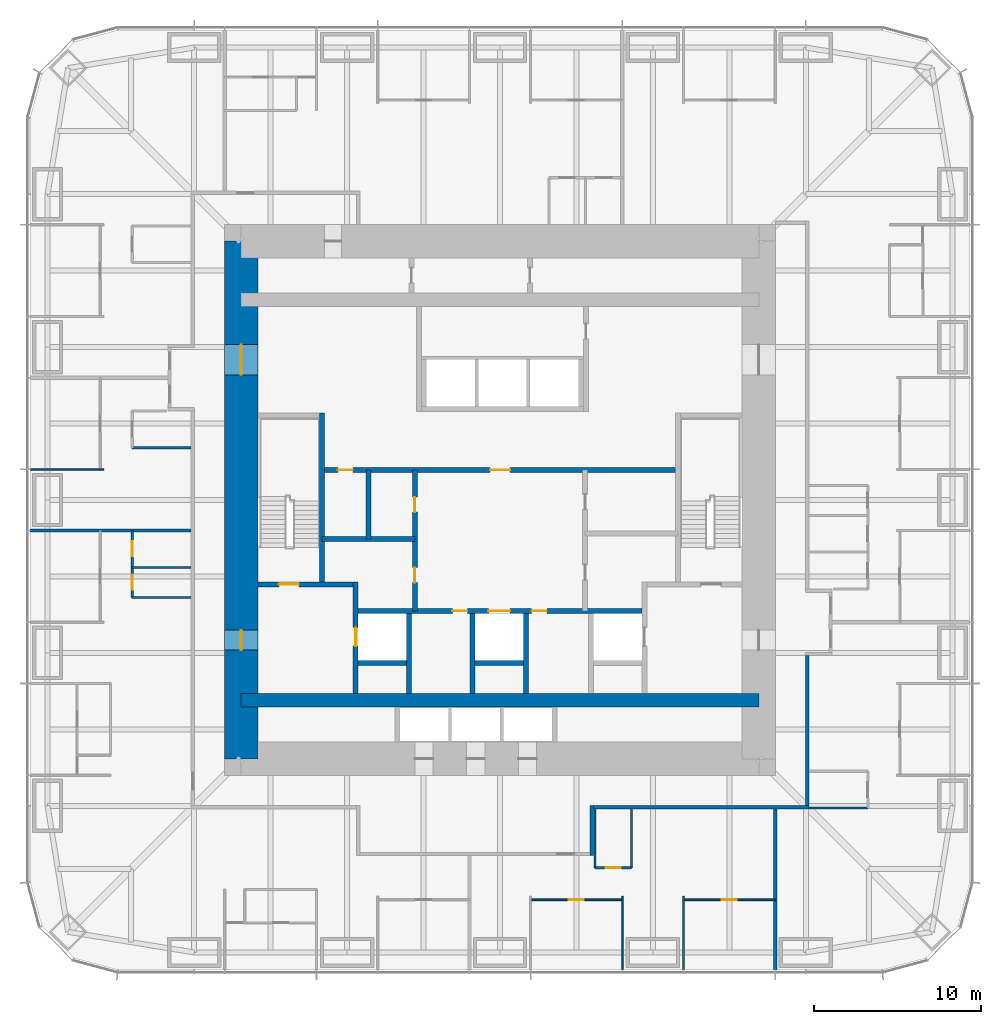
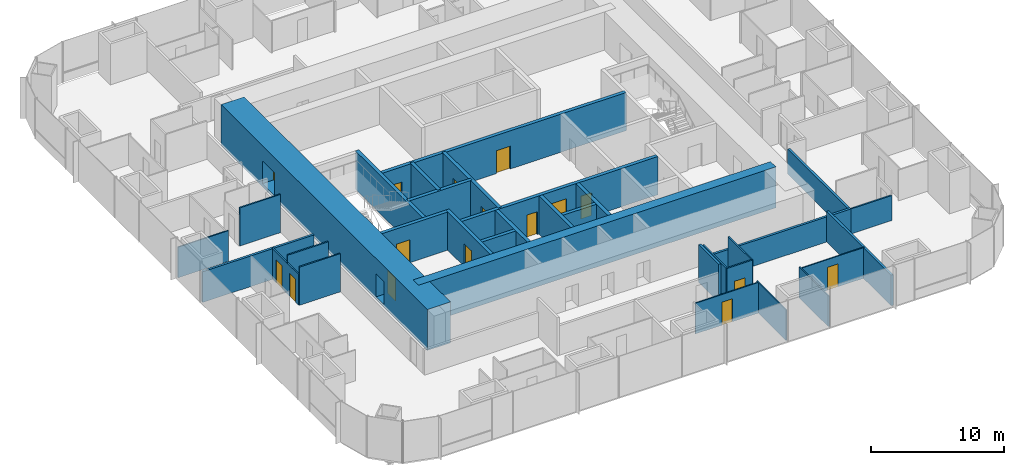
# One storey, part 8 of 12: 33 walls, 16 doors, 16 openings.
"""IFC4 building model written with IfcOpenShell, lengths in metres."""

import ifcopenshell
import ifcopenshell.guid

model = None  # the IFC model being written
_history = None  # IfcOwnerHistory: only IFC2X3 demands one
_inside = {}  # id of a spatial element -> (the spatial element, [elements in it])
_under = {}  # id of a project, library or spatial element -> (it, [spatial elements below it])
_declared = {}  # id of a project -> (the project, [libraries it declares])
_typed = {}  # id of a type object -> (the type object, [elements of that type])
_made_of = {}  # id of a material, layer set ... -> (it, [elements and type objects made of it])


def new_model(schema):
    """Start an empty IFC model of exactly this schema.

    Asked for "IFC4X3", IfcOpenShell would pick the latest addendum, in which some entities
    have other attributes; the version numbers below select the first issue.
    IFC2X3 requires an IfcOwnerHistory on every rooted entity: one is made here for all.
    """
    global model, _history
    if schema == "IFC4X3":
        model = ifcopenshell.file(schema_version=(4, 3, 0, 0))
    else:
        model = ifcopenshell.file(schema=schema)
    _inside.clear()
    _under.clear()
    _declared.clear()
    _typed.clear()
    _made_of.clear()
    _history = None
    if model.schema == "IFC2X3":
        org = make("IfcOrganization", Name="unknown")
        user = make(
            "IfcPersonAndOrganization",
            ThePerson=make("IfcPerson", FamilyName="unknown"),
            TheOrganization=org,
        )
        app = make(
            "IfcApplication",
            ApplicationDeveloper=org,
            Version="unknown",
            ApplicationFullName="unknown",
            ApplicationIdentifier="unknown",
        )
        _history = make(
            "IfcOwnerHistory",
            OwningUser=user,
            OwningApplication=app,
            ChangeAction="ADDED",
            CreationDate=0,
        )
    return model


def make(cls, **values):
    """One entity of the class cls with the attributes given. An attribute that is None is left unset."""
    return model.create_entity(
        cls, **{name: value for name, value in values.items() if value is not None}
    )


def rooted(cls, **values):
    """An entity with a GlobalId (a new one), such as an element, a storey or a relation."""
    return make(cls, GlobalId=ifcopenshell.guid.new(), OwnerHistory=_history, **values)


def si_unit(unit_type, name, prefix=None):
    """IfcSIUnit, for example si_unit("LENGTHUNIT", "METRE", prefix="MILLI")."""
    return make("IfcSIUnit", UnitType=unit_type, Prefix=prefix, Name=name)


def assignment(units):
    """IfcUnitAssignment: the units of a project."""
    return None if units is None else make("IfcUnitAssignment", Units=units)


def point(xyz):
    """IfcCartesianPoint."""
    return None if xyz is None else make("IfcCartesianPoint", Coordinates=xyz)


def direction(xyz):
    """IfcDirection."""
    return None if xyz is None else make("IfcDirection", DirectionRatios=xyz)


def frame(location, z_axis=None, x_axis=None):
    """IfcAxis2Placement3D, a coordinate frame: its origin and axes. An axis left out is left unset."""
    return make(
        "IfcAxis2Placement3D",
        Location=point(location),
        Axis=direction(z_axis),
        RefDirection=direction(x_axis),
    )


def frame_2d(location, x_axis=None):
    """IfcAxis2Placement2D, a coordinate frame in the plane: its origin and x axis."""
    return make(
        "IfcAxis2Placement2D", Location=point(location), RefDirection=direction(x_axis)
    )


def origin():
    """The frame at (0, 0, 0) with its axes left unset."""
    return frame((0.0, 0.0, 0.0))


def place(relative_to, where):
    """IfcLocalPlacement: puts the frame where relative to a parent placement (None: the world)."""
    return make(
        "IfcLocalPlacement", PlacementRelTo=relative_to, RelativePlacement=where
    )


def context(
    kind, dimensions, precision=None, world=None, true_north=None, identifier=None
):
    """IfcGeometricRepresentationContext, for example the 3D "Model" context."""
    return make(
        "IfcGeometricRepresentationContext",
        ContextIdentifier=identifier,
        ContextType=kind,
        CoordinateSpaceDimension=dimensions,
        Precision=precision,
        WorldCoordinateSystem=world,
        TrueNorth=true_north,
    )


def subcontext(parent, identifier, kind, view, scale=None):
    """IfcGeometricRepresentationSubContext, for example "Body" below "Model"."""
    return make(
        "IfcGeometricRepresentationSubContext",
        ContextIdentifier=identifier,
        ContextType=kind,
        ParentContext=parent,
        TargetScale=scale,
        TargetView=view,
    )


def project(units=None, contexts=None):
    """IfcProject with its units and contexts."""
    return rooted(
        "IfcProject",
        Name="project",
        RepresentationContexts=contexts,
        UnitsInContext=assignment(units),
    )


def spatial(cls, under=None, at=None, **own):
    """A site, building, storey or space (cls), placed at a placement, below another one or the project."""
    s = rooted(cls, ObjectPlacement=at, **own)
    if under is not None:
        _under.setdefault(under.id(), (under, []))[1].append(s)
    return s


def profile(cls, at=None, kind="AREA", **sizes):
    """A parametric profile (cls). Its sizes go by their IFC names, for example OverallWidth=200.0."""
    return make(cls, ProfileType=kind, Position=at, **sizes)


def rectangle(**sizes):
    """IfcRectangleProfileDef."""
    return profile("IfcRectangleProfileDef", **sizes)


def extrude(swept, where, along, depth):
    """IfcExtrudedAreaSolid: the profile swept, set in the frame where, extruded along a direction by depth."""
    return make(
        "IfcExtrudedAreaSolid",
        SweptArea=swept,
        Position=where,
        ExtrudedDirection=direction(along),
        Depth=depth,
    )


def shape(context_of_items, identifier, shape_type, items):
    """IfcShapeRepresentation: the items that make up one representation, for example the "Body"."""
    return make(
        "IfcShapeRepresentation",
        ContextOfItems=context_of_items,
        RepresentationIdentifier=identifier,
        RepresentationType=shape_type,
        Items=items,
    )


def material(Name=None, Category=None):
    """IfcMaterial."""
    return make("IfcMaterial", Name=Name, Category=Category)


def layer(
    of_material, thickness, ventilated=None, Name=None, Category=None, Priority=None
):
    """IfcMaterialLayer: one layer of a wall or slab, of a material (None: an air gap)."""
    return make(
        "IfcMaterialLayer",
        Material=of_material,
        LayerThickness=thickness,
        IsVentilated=ventilated,
        Name=Name,
        Category=Category,
        Priority=Priority,
    )


def layer_set(layers, Name=None):
    """IfcMaterialLayerSet."""
    return make("IfcMaterialLayerSet", MaterialLayers=layers, LayerSetName=Name)


def made_of(thing, what):
    """Note that an element or type object is made of a material, layer set ...; save() writes the relation."""
    if what is not None:
        _made_of.setdefault(what.id(), (what, []))[1].append(thing)
    return thing


def type_object(cls, material=None, **own):
    """A type object (cls), such as IfcWallType, which elements share."""
    return made_of(rooted(cls, **own), material)


def element(
    cls,
    number,
    at=None,
    inside=None,
    cuts=None,
    type_object=None,
    material=None,
    context=None,
    identifier="Body",
    shape_type=None,
    held_by="IfcProductDefinitionShape",
    body=None,
    shapes=None,
    **own,
):
    """One element of the class cls, such as IfcWall. Its Tag is "e" and its number.

    at: its placement. inside: the storey or other place that contains it. cuts: it is an
    opening in that element (IfcRelVoidsElement). A single representation is given by context,
    identifier, shape_type and body (its items); several are given by shapes. held_by: the class
    of the entity that holds the representations. save() writes the other relations.
    """
    e = rooted(cls, Tag="e%d" % number, ObjectPlacement=at, **own)
    if body is not None:
        shapes = [shape(context, identifier, shape_type, body)]
    if shapes is not None:
        e.Representation = make(held_by, Representations=shapes)
    if inside is not None:
        _inside.setdefault(inside.id(), (inside, []))[1].append(e)
    if cuts is not None:
        rooted(
            "IfcRelVoidsElement", RelatingBuildingElement=cuts, RelatedOpeningElement=e
        )
    if type_object is not None:
        _typed.setdefault(type_object.id(), (type_object, []))[1].append(e)
    return made_of(e, material)


def fill(opening, filler):
    """IfcRelFillsElement: the door or window that sits in an opening."""
    return rooted(
        "IfcRelFillsElement",
        RelatingOpeningElement=opening,
        RelatedBuildingElement=filler,
    )


def aggregate(whole, parts):
    """IfcRelAggregates: a whole, such as a stair, and the parts it consists of."""
    return rooted("IfcRelAggregates", RelatingObject=whole, RelatedObjects=parts)


def save(model, path):
    """Write the relations noted so far, then the file.

    IfcRelAggregates (storeys below a building ...), IfcRelContainedInSpatialStructure (elements
    in a storey), IfcRelDefinesByType, IfcRelAssociatesMaterial and IfcRelDeclares: one each for
    every whole, place, type object, material and project.
    """
    for whole, parts in _under.values():
        aggregate(whole, parts)
    for where, things in _inside.values():
        rooted(
            "IfcRelContainedInSpatialStructure",
            RelatedElements=things,
            RelatingStructure=where,
        )
    for kind, things in _typed.values():
        rooted("IfcRelDefinesByType", RelatedObjects=things, RelatingType=kind)
    for what, things in _made_of.values():
        rooted("IfcRelAssociatesMaterial", RelatedObjects=things, RelatingMaterial=what)
    for by, libraries in _declared.values():
        rooted("IfcRelDeclares", RelatingContext=by, RelatedDefinitions=libraries)
    model.write(path)


model = new_model("IFC4")

# Units and contexts
model_context = context("Model", 3, precision=1e-05, world=origin(), true_north=direction((0.0, 1.0)))
body_context = subcontext(model_context, "Body", "Model", "MODEL_VIEW")
ifc_project = project(units=[si_unit("LENGTHUNIT", "METRE"), si_unit("AREAUNIT", "SQUARE_METRE"), si_unit("VOLUMEUNIT", "CUBIC_METRE"), si_unit("PLANEANGLEUNIT", "RADIAN"), si_unit("MASSUNIT", "GRAM", prefix="KILO")], contexts=[model_context])

# Site, building, storey
site_placement = place(None, origin())
site = spatial("IfcSite", under=ifc_project, at=site_placement, CompositionType="ELEMENT")
building_placement = place(site_placement, origin())
building = spatial("IfcBuilding", under=site, at=building_placement, Name="Khuree Lantern Residences", CompositionType="ELEMENT")
storey_placement = place(building_placement, frame((0.0, 0.0, 178.5)))
storey = spatial("IfcBuildingStorey", under=building, at=storey_placement, Name="L45", CompositionType="ELEMENT", Elevation=178.5)

# Wall
ifc_material_1 = material(Name="Moisture-resistant gypsum board on steel studs", Category="steel")
ifc_layer_1 = layer(ifc_material_1, 0.125)
ifc_layer_set_1 = layer_set([ifc_layer_1], Name="BATHROOM WALL BTW125")
wall_type_1 = type_object("IfcWallType", Name="BATHROOM WALL BTW125", PredefinedType="PARTITIONING", material=ifc_layer_set_1)
wall_1_placement = place(storey_placement, frame((-18.5, 3.1279296875, 0.0), z_axis=(0.0, 0.0, 1.0), x_axis=(-1.0, 0.0, 0.0)))
element("IfcWall", 1, at=wall_1_placement, inside=storey, type_object=wall_type_1, Name="L45 BATHROOM WALL 04", PredefinedType="PARTITIONING", context=body_context, shape_type="SweptSolid", body=[
    extrude(rectangle(XDim=3.52978515625, YDim=0.125, at=frame_2d((1.764892578125, 0.0))), origin(), (0.0, 0.0, 1.0), 3.5),
])

# Wall, openings, doors
wall_2_placement = place(storey_placement, frame((-22.02978515625, -1.83203125, 0.0), z_axis=(0.0, 0.0, 1.0), x_axis=(0.0, -1.0, 0.0)))
wall_2 = element("IfcWall", 2, at=wall_2_placement, inside=storey, type_object=wall_type_1, Name="L45 BATHROOM WALL 05", PredefinedType="PARTITIONING", context=body_context, shape_type="SweptSolid", body=[
    extrude(rectangle(XDim=4.0, YDim=0.125, at=frame_2d((2.0, 0.0))), origin(), (0.0, 0.0, 1.0), 2.81005859375),
])
opening_1_placement = place(wall_2_placement, frame((0.64990234375, 0.0, 0.0)))
opening_1 = element("IfcOpeningElement", 3, at=opening_1_placement, cuts=wall_2, Name="Opening 45-053", PredefinedType="OPENING", context=body_context, shape_type="SweptSolid", body=[
    extrude(rectangle(XDim=0.89990234375, YDim=2.10009765625, at=frame_2d((0.449951171875, 1.050048828125))), frame((0.0, 0.072509765625, 0.0), z_axis=(0.0, -1.0, 0.0), x_axis=(1.0, 0.0, 0.0)), (0.0, 0.0, 1.0), 0.14501953125),
])
opening_2_placement = place(wall_2_placement, frame((2.64990234375, 0.0, 0.0)))
opening_2 = element("IfcOpeningElement", 4, at=opening_2_placement, cuts=wall_2, Name="Opening 45-054", PredefinedType="OPENING", context=body_context, shape_type="SweptSolid", body=[
    extrude(rectangle(XDim=0.89990234375, YDim=2.10009765625, at=frame_2d((0.449951171875, 1.050048828125))), frame((0.0, 0.072509765625, 0.0), z_axis=(0.0, -1.0, 0.0), x_axis=(1.0, 0.0, 0.0)), (0.0, 0.0, 1.0), 0.14501953125),
])
ifc_material_2 = material(Name="Timber door leaf in hardwood frame", Category="wood")
door_type_1 = type_object("IfcDoorType", Name="BATHROOM DOOR 900X2100", OperationType="SINGLE_SWING_LEFT", PredefinedType="DOOR", material=ifc_material_2)
door_1_placement = place(opening_1_placement, origin())
door_1 = element("IfcDoor", 5, at=door_1_placement, inside=storey, type_object=door_type_1, Name="Bathroom door 45-053", OperationType="SINGLE_SWING_LEFT", OverallHeight=2.10009765625, OverallWidth=0.89990234375, PredefinedType="DOOR", context=body_context, shape_type="SweptSolid", body=[
    extrude(rectangle(XDim=0.89990234375, YDim=2.10009765625, at=frame_2d((0.449951171875, 1.050048828125))), frame((0.0, 0.02490234375, 0.0), z_axis=(0.0, -1.0, 0.0), x_axis=(1.0, 0.0, 0.0)), (0.0, 0.0, 1.0), 0.050048828125),
])
fill(opening_1, door_1)
door_type_2 = type_object("IfcDoorType", Name="DOOR 900X2100", OperationType="SINGLE_SWING_LEFT", PredefinedType="DOOR", material=ifc_material_2)
door_2_placement = place(opening_2_placement, origin())
door_2 = element("IfcDoor", 6, at=door_2_placement, inside=storey, type_object=door_type_2, Name="Store door 45-054", OperationType="SINGLE_SWING_LEFT", OverallHeight=2.10009765625, OverallWidth=0.89990234375, PredefinedType="DOOR", context=body_context, shape_type="SweptSolid", body=[
    extrude(rectangle(XDim=0.89990234375, YDim=2.10009765625, at=frame_2d((0.449951171875, 1.050048828125))), frame((0.0, 0.02490234375, 0.0), z_axis=(0.0, -1.0, 0.0), x_axis=(1.0, 0.0, 0.0)), (0.0, 0.0, 1.0), 0.050048828125),
])
fill(opening_2, door_2)

# Walls
for number, where, z_axis, x_axis, name in (
    (7, (-18.5, -4.031982421875, 0.0), (0.0, 0.0, 1.0), (-1.0, 0.0, 0.0), "L45 BATHROOM WALL 05"),
    (8, (-18.5, -5.83203125, 0.0), (0.0, 0.0, 1.0), (-1.0, 0.0, 0.0), "L45 BATHROOM WALL 05"),
):
    element("IfcWall", number, at=place(storey_placement, frame(where, z_axis=z_axis, x_axis=x_axis)), inside=storey, type_object=wall_type_1, Name=name, PredefinedType="PARTITIONING", context=body_context, shape_type="SweptSolid", body=[
        extrude(rectangle(XDim=3.52978515625, YDim=0.125, at=frame_2d((1.764892578125, 0.0))), origin(), (0.0, 0.0, 1.0), 3.5),
    ])

# Wall, opening, door
wall_3_placement = place(storey_placement, frame((5.68359375, -22.02978515625, 0.0), z_axis=(0.0, 0.0, 1.0), x_axis=(1.0, 0.0, 0.0)))
wall_3 = element("IfcWall", 9, at=wall_3_placement, inside=storey, type_object=wall_type_1, Name="L45 BATHROOM WALL 06", PredefinedType="PARTITIONING", context=body_context, shape_type="SweptSolid", body=[
    extrude(rectangle(XDim=2.199951171875, YDim=0.125, at=frame_2d((1.10009765625, 0.0))), origin(), (0.0, 0.0, 1.0), 3.5),
])
opening_3_placement = place(wall_3_placement, frame((0.64990234375, 0.0, 0.0)))
opening_3 = element("IfcOpeningElement", 10, at=opening_3_placement, cuts=wall_3, Name="Opening 45-058", PredefinedType="OPENING", context=body_context, shape_type="SweptSolid", body=[
    extrude(rectangle(XDim=0.89990234375, YDim=2.10009765625, at=frame_2d((0.449951171875, 1.050048828125))), frame((0.0, 0.072509765625, 0.0), z_axis=(0.0, -1.0, 0.0), x_axis=(1.0, 0.0, 0.0)), (0.0, 0.0, 1.0), 0.14501953125),
])
door_3_placement = place(opening_3_placement, origin())
door_3 = element("IfcDoor", 11, at=door_3_placement, inside=storey, type_object=door_type_1, Name="Bathroom door 45-058", OperationType="SINGLE_SWING_LEFT", OverallHeight=2.10009765625, OverallWidth=0.89990234375, PredefinedType="DOOR", context=body_context, shape_type="SweptSolid", body=[
    extrude(rectangle(XDim=0.89990234375, YDim=2.10009765625, at=frame_2d((0.449951171875, 1.050048828125))), frame((0.0, 0.02490234375, 0.0), z_axis=(0.0, -1.0, 0.0), x_axis=(1.0, 0.0, 0.0)), (0.0, 0.0, 1.0), 0.050048828125),
])
fill(opening_3, door_3)

# Walls
for number, where, z_axis, x_axis, name in (
    (12, (5.68359375, -18.5, 0.0), (0.0, 0.0, 1.0), (0.0, -1.0, 0.0), "L45 BATHROOM WALL 06"),
    (13, (7.883544921875, -18.5, 0.0), (0.0, 0.0, 1.0), (0.0, -1.0, 0.0), "L45 BATHROOM WALL 06"),
):
    element("IfcWall", number, at=place(storey_placement, frame(where, z_axis=z_axis, x_axis=x_axis)), inside=storey, type_object=wall_type_1, Name=name, PredefinedType="PARTITIONING", context=body_context, shape_type="SweptSolid", body=[
        extrude(rectangle(XDim=3.52978515625, YDim=0.125, at=frame_2d((1.764892578125, 0.0))), origin(), (0.0, 0.0, 1.0), 3.5),
    ])
wall_4_placement = place(storey_placement, frame((18.5, -18.449951171875, 0.0), z_axis=(0.0, 0.0, 1.0), x_axis=(1.0, 0.0, 0.0)))
element("IfcWall", 14, at=wall_4_placement, inside=storey, type_object=wall_type_1, Name="L45 BATHROOM WALL 07", PredefinedType="PARTITIONING", context=body_context, shape_type="SweptSolid", body=[
    extrude(rectangle(XDim=3.52978515625, YDim=0.125, at=frame_2d((1.764892578125, 0.0))), origin(), (0.0, 0.0, 1.0), 2.300048828125),
])

# Wall, opening, door
ifc_material_3 = material(Name="Dense concrete blockwork", Category="masonry")
ifc_layer_2 = layer(ifc_material_3, 0.300048828125)
ifc_layer_set_2 = layer_set([ifc_layer_2], Name="CORE PARTITION WALL CPW300 EI 120")
wall_type_2 = type_object("IfcWallType", Name="CORE PARTITION WALL CPW300 EI 120", PredefinedType="PARTITIONING", material=ifc_layer_set_2)
wall_5_placement = place(storey_placement, frame((-8.64990234375, -11.60009765625, 0.0), z_axis=(0.0, 0.0, 1.0), x_axis=(0.0, 1.0, 0.0)))
wall_5 = element("IfcWall", 15, at=wall_5_placement, inside=storey, type_object=wall_type_2, Name="L45 CORE WALL FL1W", PredefinedType="PARTITIONING", context=body_context, shape_type="SweptSolid", body=[
    extrude(rectangle(XDim=6.7001953125, YDim=0.300048828125, at=frame_2d((3.35009765625, 0.0))), origin(), (0.0, 0.0, 1.0), 3.5),
])
opening_4_placement = place(wall_5_placement, frame((2.85009765625, 0.0, 0.0)))
opening_4 = element("IfcOpeningElement", 16, at=opening_4_placement, cuts=wall_5, Name="Opening 45-007", PredefinedType="OPENING", context=body_context, shape_type="SweptSolid", body=[
    extrude(rectangle(XDim=1.10009765625, YDim=2.10009765625, at=frame_2d((0.550048828125, 1.050048828125))), frame((0.0, 0.16015625, 0.0), z_axis=(0.0, -1.0, 0.0), x_axis=(1.0, 0.0, 0.0)), (0.0, 0.0, 1.0), 0.320068359375),
])
ifc_material_4 = material(Name="Stainless steel lift landing door", Category="steel")
door_type_3 = type_object("IfcDoorType", Name="LIFT LANDING DOOR 1100X2100 E 120", OperationType="DOUBLE_DOOR_SLIDING", PredefinedType="DOOR", material=ifc_material_4)
door_4_placement = place(opening_4_placement, origin())
door_4 = element("IfcDoor", 17, at=door_4_placement, inside=storey, type_object=door_type_3, Name="Landing door FL1 45-007", OperationType="DOUBLE_DOOR_SLIDING", OverallHeight=2.10009765625, OverallWidth=1.10009765625, PredefinedType="DOOR", context=body_context, shape_type="SweptSolid", body=[
    extrude(rectangle(XDim=1.10009765625, YDim=2.10009765625, at=frame_2d((0.550048828125, 1.050048828125))), frame((0.0, 0.02490234375, 0.0), z_axis=(0.0, -1.0, 0.0), x_axis=(1.0, 0.0, 0.0)), (0.0, 0.0, 1.0), 0.050048828125),
])
fill(opening_4, door_4)

# Wall, openings, doors
wall_6_placement = place(storey_placement, frame((-8.5, -6.64990234375, 0.0), z_axis=(0.0, 0.0, 1.0), x_axis=(1.0, 0.0, 0.0)))
wall_6 = element("IfcWall", 18, at=wall_6_placement, inside=storey, type_object=wall_type_2, Name="L45 CORE WALL FLROW", PredefinedType="PARTITIONING", context=body_context, shape_type="SweptSolid", body=[
    extrude(rectangle(XDim=17.0, YDim=0.300048828125, at=frame_2d((8.5, 0.0))), origin(), (0.0, 0.0, 1.0), 3.5),
])
opening_5_placement = place(wall_6_placement, frame((7.800048828125, 0.0, 0.0)))
opening_5 = element("IfcOpeningElement", 19, at=opening_5_placement, cuts=wall_6, Name="Opening 45-012", PredefinedType="OPENING", context=body_context, shape_type="SweptSolid", body=[
    extrude(rectangle(XDim=1.300048828125, YDim=2.39990234375, at=frame_2d((0.64990234375, 1.199951171875))), frame((0.0, 0.16015625, 0.0), z_axis=(0.0, -1.0, 0.0), x_axis=(1.0, 0.0, 0.0)), (0.0, 0.0, 1.0), 0.320068359375),
])
opening_6_placement = place(wall_6_placement, frame((5.64990234375, 0.0, 0.0)))
opening_6 = element("IfcOpeningElement", 20, at=opening_6_placement, cuts=wall_6, Name="Opening 45-014", PredefinedType="OPENING", context=body_context, shape_type="SweptSolid", body=[
    extrude(rectangle(XDim=0.89990234375, YDim=2.10009765625, at=frame_2d((0.449951171875, 1.050048828125))), frame((0.0, 0.16015625, 0.0), z_axis=(0.0, -1.0, 0.0), x_axis=(1.0, 0.0, 0.0)), (0.0, 0.0, 1.0), 0.320068359375),
])
opening_7_placement = place(wall_6_placement, frame((10.39990234375, 0.0, 0.0)))
opening_7 = element("IfcOpeningElement", 21, at=opening_7_placement, cuts=wall_6, Name="Opening 45-015", PredefinedType="OPENING", context=body_context, shape_type="SweptSolid", body=[
    extrude(rectangle(XDim=0.89990234375, YDim=2.10009765625, at=frame_2d((0.449951171875, 1.050048828125))), frame((0.0, 0.16015625, 0.0), z_axis=(0.0, -1.0, 0.0), x_axis=(1.0, 0.0, 0.0)), (0.0, 0.0, 1.0), 0.320068359375),
])
ifc_material_5 = material(Name="Steel door leaf in steel frame", Category="steel")
door_type_4 = type_object("IfcDoorType", Name="DOOR 900X2100 EI 60", OperationType="SINGLE_SWING_LEFT", PredefinedType="DOOR", material=ifc_material_5)
door_5_placement = place(opening_6_placement, origin())
door_5 = element("IfcDoor", 22, at=door_5_placement, inside=storey, type_object=door_type_4, Name="Refuse chute room door 45-014", OperationType="SINGLE_SWING_LEFT", OverallHeight=2.10009765625, OverallWidth=0.89990234375, PredefinedType="DOOR", context=body_context, shape_type="SweptSolid", body=[
    extrude(rectangle(XDim=0.89990234375, YDim=2.10009765625, at=frame_2d((0.449951171875, 1.050048828125))), frame((0.0, 0.02490234375, 0.0), z_axis=(0.0, -1.0, 0.0), x_axis=(1.0, 0.0, 0.0)), (0.0, 0.0, 1.0), 0.050048828125),
])
fill(opening_6, door_5)
door_type_5 = type_object("IfcDoorType", Name="DOOR 900X2100 EI 60 RIGHT HAND", OperationType="SINGLE_SWING_RIGHT", PredefinedType="DOOR", material=ifc_material_5)
door_6_placement = place(opening_7_placement, origin())
door_6 = element("IfcDoor", 23, at=door_6_placement, inside=storey, type_object=door_type_5, Name="Electrical and plumbing riser door 45-015", OperationType="SINGLE_SWING_RIGHT", OverallHeight=2.10009765625, OverallWidth=0.89990234375, PredefinedType="DOOR", context=body_context, shape_type="SweptSolid", body=[
    extrude(rectangle(XDim=0.89990234375, YDim=2.10009765625, at=frame_2d((0.449951171875, 1.050048828125))), frame((0.0, 0.02490234375, 0.0), z_axis=(0.0, -1.0, 0.0), x_axis=(1.0, 0.0, 0.0)), (0.0, 0.0, 1.0), 0.050048828125),
])
fill(opening_7, door_6)
door_type_6 = type_object("IfcDoorType", Name="LIFT LANDING DOOR 1300X2400 E 60", OperationType="DOUBLE_DOOR_SLIDING", PredefinedType="DOOR", material=ifc_material_4)
door_7_placement = place(opening_5_placement, origin())
door_7 = element("IfcDoor", 24, at=door_7_placement, inside=storey, type_object=door_type_6, Name="Landing door SL1 45-012", OperationType="DOUBLE_DOOR_SLIDING", OverallHeight=2.39990234375, OverallWidth=1.300048828125, PredefinedType="DOOR", context=body_context, shape_type="SweptSolid", body=[
    extrude(rectangle(XDim=1.300048828125, YDim=2.39990234375, at=frame_2d((0.64990234375, 1.199951171875))), frame((0.0, 0.02490234375, 0.0), z_axis=(0.0, -1.0, 0.0), x_axis=(1.0, 0.0, 0.0)), (0.0, 0.0, 1.0), 0.050048828125),
])
fill(opening_5, door_7)

# Walls
for number, where, z_axis, x_axis, name in (
    (25, (-5.449951171875, -11.60009765625, 0.0), (0.0, 0.0, 1.0), (0.0, 1.0, 0.0), "L45 CORE WALL FL1E"),
    (26, (-1.64990234375, -11.60009765625, 0.0), (0.0, 0.0, 1.0), (0.0, 1.0, 0.0), "L45 CORE WALL SL1W"),
    (27, (1.550048828125, -11.60009765625, 0.0), (0.0, 0.0, 1.0), (0.0, 1.0, 0.0), "L45 CORE WALL SL1E"),
):
    element("IfcWall", number, at=place(storey_placement, frame(where, z_axis=z_axis, x_axis=x_axis)), inside=storey, type_object=wall_type_2, Name=name, PredefinedType="PARTITIONING", context=body_context, shape_type="SweptSolid", body=[
        extrude(rectangle(XDim=4.800048828125, YDim=0.300048828125, at=frame_2d((2.39990234375, 0.0))), origin(), (0.0, 0.0, 1.0), 3.5),
    ])
for number, where, z_axis, x_axis, name in (
    (28, (-8.5, -9.75, 0.0), (0.0, 0.0, 1.0), (1.0, 0.0, 0.0), "L45 CORE WALL FL1S"),
    (29, (-1.5, -9.75, 0.0), (0.0, 0.0, 1.0), (1.0, 0.0, 0.0), "L45 CORE WALL SL1S"),
):
    element("IfcWall", number, at=place(storey_placement, frame(where, z_axis=z_axis, x_axis=x_axis)), inside=storey, type_object=wall_type_2, Name=name, PredefinedType="PARTITIONING", context=body_context, shape_type="SweptSolid", body=[
        extrude(rectangle(XDim=2.89990234375, YDim=0.300048828125, at=frame_2d((1.449951171875, 0.0))), origin(), (0.0, 0.0, 1.0), 3.5),
    ])

# Wall, openings, doors
wall_7_placement = place(storey_placement, frame((-10.64990234375, 1.800048828125, 0.0), z_axis=(0.0, 0.0, 1.0), x_axis=(1.0, 0.0, 0.0)))
wall_7 = element("IfcWall", 30, at=wall_7_placement, inside=storey, type_object=wall_type_2, Name="L45 CORE WALL LLS", PredefinedType="PARTITIONING", context=body_context, shape_type="SweptSolid", body=[
    extrude(rectangle(XDim=21.2998046875, YDim=0.300048828125, at=frame_2d((10.64990234375, 0.0))), origin(), (0.0, 0.0, 1.0), 3.5),
])
opening_8_placement = place(wall_7_placement, frame((10.050048828125, 0.0, 0.0)))
opening_8 = element("IfcOpeningElement", 31, at=opening_8_placement, cuts=wall_7, Name="Opening 45-013", PredefinedType="OPENING", context=body_context, shape_type="SweptSolid", body=[
    extrude(rectangle(XDim=1.199951171875, YDim=2.10009765625, at=frame_2d((0.60009765625, 1.050048828125))), frame((0.0, 0.16015625, 0.0), z_axis=(0.0, -1.0, 0.0), x_axis=(1.0, 0.0, 0.0)), (0.0, 0.0, 1.0), 0.320068359375),
])
opening_9_placement = place(wall_7_placement, frame((0.93798828125, 0.0, 0.0)))
opening_9 = element("IfcOpeningElement", 32, at=opening_9_placement, cuts=wall_7, Name="Opening 45-018", PredefinedType="OPENING", context=body_context, shape_type="SweptSolid", body=[
    extrude(rectangle(XDim=0.89990234375, YDim=2.10009765625, at=frame_2d((0.449951171875, 1.050048828125))), frame((0.0, 0.16015625, 0.0), z_axis=(0.0, -1.0, 0.0), x_axis=(1.0, 0.0, 0.0)), (0.0, 0.0, 1.0), 0.320068359375),
])
door_type_7 = type_object("IfcDoorType", Name="DOOR 1200X2100 EI 60", OperationType="SINGLE_SWING_LEFT", PredefinedType="DOOR", material=ifc_material_5)
door_8_placement = place(opening_8_placement, origin())
door_8 = element("IfcDoor", 33, at=door_8_placement, inside=storey, type_object=door_type_7, Name="Service lift lobby door 45-013", OperationType="SINGLE_SWING_LEFT", OverallHeight=2.10009765625, OverallWidth=1.199951171875, PredefinedType="DOOR", context=body_context, shape_type="SweptSolid", body=[
    extrude(rectangle(XDim=1.199951171875, YDim=2.10009765625, at=frame_2d((0.60009765625, 1.050048828125))), frame((0.0, 0.02490234375, 0.0), z_axis=(0.0, -1.0, 0.0), x_axis=(1.0, 0.0, 0.0)), (0.0, 0.0, 1.0), 0.050048828125),
])
fill(opening_8, door_8)
door_9_placement = place(opening_9_placement, origin())
door_9 = element("IfcDoor", 34, at=door_9_placement, inside=storey, type_object=door_type_2, Name="Housekeeping store door 45-018", OperationType="SINGLE_SWING_LEFT", OverallHeight=2.10009765625, OverallWidth=0.89990234375, PredefinedType="DOOR", context=body_context, shape_type="SweptSolid", body=[
    extrude(rectangle(XDim=0.89990234375, YDim=2.10009765625, at=frame_2d((0.449951171875, 1.050048828125))), frame((0.0, 0.02490234375, 0.0), z_axis=(0.0, -1.0, 0.0), x_axis=(1.0, 0.0, 0.0)), (0.0, 0.0, 1.0), 0.050048828125),
])
fill(opening_9, door_9)

wall_8_placement = place(storey_placement, frame((-5.10009765625, -6.64990234375, 0.0), z_axis=(0.0, 0.0, 1.0), x_axis=(0.0, 1.0, 0.0)))
wall_8 = element("IfcWall", 35, at=wall_8_placement, inside=storey, type_object=wall_type_2, Name="L45 CORE WALL SVW", PredefinedType="PARTITIONING", context=body_context, shape_type="SweptSolid", body=[
    extrude(rectangle(XDim=8.449951171875, YDim=0.300048828125, at=frame_2d((4.22509765625, 0.0))), origin(), (0.0, 0.0, 1.0), 3.5),
])
opening_10_placement = place(wall_8_placement, frame((1.699951171875, 0.0, 0.0)))
opening_10 = element("IfcOpeningElement", 36, at=opening_10_placement, cuts=wall_8, Name="Opening 45-016", PredefinedType="OPENING", context=body_context, shape_type="SweptSolid", body=[
    extrude(rectangle(XDim=0.89990234375, YDim=2.10009765625, at=frame_2d((0.449951171875, 1.050048828125))), frame((0.0, 0.16015625, 0.0), z_axis=(0.0, -1.0, 0.0), x_axis=(1.0, 0.0, 0.0)), (0.0, 0.0, 1.0), 0.320068359375),
])
opening_11_placement = place(wall_8_placement, frame((5.925048828125, 0.0, 0.0)))
opening_11 = element("IfcOpeningElement", 37, at=opening_11_placement, cuts=wall_8, Name="Opening 45-017", PredefinedType="OPENING", context=body_context, shape_type="SweptSolid", body=[
    extrude(rectangle(XDim=0.89990234375, YDim=2.10009765625, at=frame_2d((0.449951171875, 1.050048828125))), frame((0.0, 0.16015625, 0.0), z_axis=(0.0, -1.0, 0.0), x_axis=(1.0, 0.0, 0.0)), (0.0, 0.0, 1.0), 0.320068359375),
])
door_10_placement = place(opening_10_placement, origin())
door_10 = element("IfcDoor", 38, at=door_10_placement, inside=storey, type_object=door_type_2, Name="Bulky waste store door 45-016", OperationType="SINGLE_SWING_LEFT", OverallHeight=2.10009765625, OverallWidth=0.89990234375, PredefinedType="DOOR", context=body_context, shape_type="SweptSolid", body=[
    extrude(rectangle(XDim=0.89990234375, YDim=2.10009765625, at=frame_2d((0.449951171875, 1.050048828125))), frame((0.0, 0.02490234375, 0.0), z_axis=(0.0, -1.0, 0.0), x_axis=(1.0, 0.0, 0.0)), (0.0, 0.0, 1.0), 0.050048828125),
])
fill(opening_10, door_10)
door_11_placement = place(opening_11_placement, origin())
door_11 = element("IfcDoor", 39, at=door_11_placement, inside=storey, type_object=door_type_2, Name="Comms room door 45-017", OperationType="SINGLE_SWING_LEFT", OverallHeight=2.10009765625, OverallWidth=0.89990234375, PredefinedType="DOOR", context=body_context, shape_type="SweptSolid", body=[
    extrude(rectangle(XDim=0.89990234375, YDim=2.10009765625, at=frame_2d((0.449951171875, 1.050048828125))), frame((0.0, 0.02490234375, 0.0), z_axis=(0.0, -1.0, 0.0), x_axis=(1.0, 0.0, 0.0)), (0.0, 0.0, 1.0), 0.050048828125),
])
fill(opening_11, door_11)

# Walls
wall_9_placement = place(storey_placement, frame((-10.64990234375, -2.35009765625, 0.0), z_axis=(0.0, 0.0, 1.0), x_axis=(1.0, 0.0, 0.0)))
element("IfcWall", 40, at=wall_9_placement, inside=storey, type_object=wall_type_2, Name="L45 CORE WALL WX", PredefinedType="PARTITIONING", context=body_context, shape_type="SweptSolid", body=[
    extrude(rectangle(XDim=5.5498046875, YDim=0.300048828125, at=frame_2d((2.77490234375, 0.0))), origin(), (0.0, 0.0, 1.0), 3.5),
])
wall_10_placement = place(storey_placement, frame((-7.875, -2.35009765625, 0.0), z_axis=(0.0, 0.0, 1.0), x_axis=(0.0, 1.0, 0.0)))
element("IfcWall", 41, at=wall_10_placement, inside=storey, type_object=wall_type_2, Name="L45 CORE WALL WV", PredefinedType="PARTITIONING", context=body_context, shape_type="SweptSolid", body=[
    extrude(rectangle(XDim=4.150146484375, YDim=0.300048828125, at=frame_2d((2.0751953125, 0.0))), origin(), (0.0, 0.0, 1.0), 3.5),
])
ifc_material_6 = material(Name="Gypsum board on steel studs", Category="steel")
ifc_layer_3 = layer(ifc_material_6, 0.199951171875)
ifc_layer_set_3 = layer_set([ifc_layer_3], Name="CORRIDOR WALL CRW200 EI 60")
wall_type_3 = type_object("IfcWallType", Name="CORRIDOR WALL CRW200 EI 60", PredefinedType="PARTITIONING", material=ifc_layer_set_3)
wall_11_placement = place(storey_placement, frame((18.39990234375, -18.300048828125, 0.0), z_axis=(0.0, 0.0, 1.0), x_axis=(0.0, 1.0, 0.0)))
element("IfcWall", 42, at=wall_11_placement, inside=storey, type_object=wall_type_3, Name="L45 CORRIDOR WALL EAST 1", PredefinedType="PARTITIONING", context=body_context, shape_type="SweptSolid", body=[
    extrude(rectangle(XDim=8.97216796875, YDim=0.199951171875, at=frame_2d((4.486083984375, 0.0))), origin(), (0.0, 0.0, 1.0), 2.300048828125),
])
wall_12_placement = place(storey_placement, frame((18.5, -18.39990234375, 0.0), z_axis=(0.0, 0.0, 1.0), x_axis=(-1.0, 0.0, 0.0)))
element("IfcWall", 43, at=wall_12_placement, inside=storey, type_object=wall_type_3, Name="L45 CORRIDOR WALL SOUTH 1", PredefinedType="PARTITIONING", context=body_context, shape_type="SweptSolid", body=[
    extrude(rectangle(XDim=12.89990234375, YDim=0.199951171875, at=frame_2d((6.449951171875, 0.0))), origin(), (0.0, 0.0, 1.0), 2.300048828125),
])
wall_13_placement = place(storey_placement, frame((5.5, -18.300048828125, 0.0), z_axis=(0.0, 0.0, 1.0), x_axis=(0.0, -1.0, 0.0)))
element("IfcWall", 44, at=wall_13_placement, inside=storey, type_object=wall_type_3, Name="L45 LIFT LOBBY WALL", PredefinedType="PARTITIONING", context=body_context, shape_type="SweptSolid", body=[
    extrude(rectangle(XDim=3.0, YDim=0.199951171875, at=frame_2d((1.5, 0.0))), origin(), (0.0, 0.0, 1.0), 3.5),
])

# Wall, openings, doors
ifc_material_7 = material(Name="Concrete C70/85", Category="concrete")
ifc_layer_4 = layer(ifc_material_7, 2.0)
ifc_layer_set_4 = layer_set([ifc_layer_4], Name="CW2000-C70 CORE WALL C70 2000")
wall_type_4 = type_object("IfcWallType", Name="CW2000-C70 CORE WALL C70 2000", PredefinedType="SHEAR", material=ifc_layer_set_4)
wall_14_placement = place(storey_placement, frame((-15.5, -15.5, -0.25), z_axis=(0.0, 0.0, 1.0), x_axis=(0.0, 1.0, 0.0)))
wall_14 = element("IfcWall", 45, at=wall_14_placement, inside=storey, type_object=wall_type_4, Name="Core wall W", PredefinedType="SHEAR", context=body_context, shape_type="SweptSolid", body=[
    extrude(rectangle(XDim=31.0, YDim=2.0, at=frame_2d((15.5, 0.0))), origin(), (0.0, 0.0, 1.0), 3.75),
])
opening_12_placement = place(wall_14_placement, frame((6.5, 0.0, 0.25)))
opening_12 = element("IfcOpeningElement", 46, at=opening_12_placement, cuts=wall_14, Name="Opening 45-002", PredefinedType="OPENING", context=body_context, shape_type="SweptSolid", body=[
    extrude(rectangle(XDim=1.199951171875, YDim=2.10009765625, at=frame_2d((0.60009765625, 1.050048828125))), frame((0.0, 1.010009765625, 0.0), z_axis=(0.0, -1.0, 0.0), x_axis=(1.0, 0.0, 0.0)), (0.0, 0.0, 1.0), 2.02001953125),
])
opening_13_placement = place(wall_14_placement, frame((23.0, 0.0, 0.25)))
opening_13 = element("IfcOpeningElement", 47, at=opening_13_placement, cuts=wall_14, Name="Opening 45-003", PredefinedType="OPENING", context=body_context, shape_type="SweptSolid", body=[
    extrude(rectangle(XDim=1.800048828125, YDim=2.10009765625, at=frame_2d((0.89990234375, 1.050048828125))), frame((0.0, 1.010009765625, 0.0), z_axis=(0.0, -1.0, 0.0), x_axis=(1.0, 0.0, 0.0)), (0.0, 0.0, 1.0), 2.02001953125),
])
door_type_8 = type_object("IfcDoorType", Name="LOBBY DOOR 1200X2100 EI 120", OperationType="SINGLE_SWING_LEFT", PredefinedType="DOOR", material=ifc_material_5)
door_12_placement = place(opening_12_placement, origin())
door_12 = element("IfcDoor", 48, at=door_12_placement, inside=storey, type_object=door_type_8, Name="Firefighting lobby door 45-002", OperationType="SINGLE_SWING_LEFT", OverallHeight=2.10009765625, OverallWidth=1.199951171875, PredefinedType="DOOR", context=body_context, shape_type="SweptSolid", body=[
    extrude(rectangle(XDim=1.199951171875, YDim=2.10009765625, at=frame_2d((0.60009765625, 1.050048828125))), frame((0.0, 0.02490234375, 0.0), z_axis=(0.0, -1.0, 0.0), x_axis=(1.0, 0.0, 0.0)), (0.0, 0.0, 1.0), 0.050048828125),
])
fill(opening_12, door_12)
door_type_9 = type_object("IfcDoorType", Name="LOBBY DOUBLE DOOR 1800X2100 EI 60", OperationType="DOUBLE_DOOR_SINGLE_SWING", PredefinedType="DOOR", material=ifc_material_5)
door_13_placement = place(opening_13_placement, origin())
door_13 = element("IfcDoor", 49, at=door_13_placement, inside=storey, type_object=door_type_9, Name="Lift lobby door 45-003", OperationType="DOUBLE_DOOR_SINGLE_SWING", OverallHeight=2.10009765625, OverallWidth=1.800048828125, PredefinedType="DOOR", context=body_context, shape_type="SweptSolid", body=[
    extrude(rectangle(XDim=1.800048828125, YDim=2.10009765625, at=frame_2d((0.89990234375, 1.050048828125))), frame((0.0, 0.02490234375, 0.0), z_axis=(0.0, -1.0, 0.0), x_axis=(1.0, 0.0, 0.0)), (0.0, 0.0, 1.0), 0.050048828125),
])
fill(opening_13, door_13)

# Walls
ifc_layer_5 = layer(ifc_material_6, 0.199951171875)
ifc_layer_set_5 = layer_set([ifc_layer_5], Name="DEMISING WALL DMW200 EI 90")
wall_type_5 = type_object("IfcWallType", Name="DEMISING WALL DMW200 EI 90", PredefinedType="PARTITIONING", material=ifc_layer_set_5)
for number, where, z_axis, x_axis, name in (
    (50, (-18.5, -1.83203125, 0.0), (0.0, 0.0, 1.0), (-1.0, 0.0, 0.0), "L45 DEMISING WALL 05"),
    (51, (16.488037109375, -18.5, 0.0), (0.0, 0.0, 1.0), (0.0, -1.0, 0.0), "L45 DEMISING WALL 07"),
):
    element("IfcWall", number, at=place(storey_placement, frame(where, z_axis=z_axis, x_axis=x_axis)), inside=storey, type_object=wall_type_5, Name=name, PredefinedType="PARTITIONING", context=body_context, shape_type="SweptSolid", body=[
        extrude(rectangle(XDim=9.64990234375, YDim=0.199951171875, at=frame_2d((4.824951171875, 0.0))), origin(), (0.0, 0.0, 1.0), 2.81005859375),
    ])
ifc_layer_6 = layer(ifc_material_6, 0.10009765625)
ifc_layer_set_6 = layer_set([ifc_layer_6], Name="PARTITION PT100")
wall_type_6 = type_object("IfcWallType", Name="PARTITION PT100", PredefinedType="PARTITIONING", material=ifc_layer_set_6)
for number, where, z_axis, x_axis, name in (
    (52, (-23.75, 1.83203125, 0.0), (0.0, 0.0, 1.0), (-1.0, 0.0, 0.0), "L45 PARTITION 04"),
    (53, (7.327880859375, -23.75, 0.0), (0.0, 0.0, 1.0), (0.0, -1.0, 0.0), "L45 PARTITION 06"),
    (54, (10.991943359375, -23.75, 0.0), (0.0, 0.0, 1.0), (0.0, -1.0, 0.0), "L45 PARTITION 06"),
):
    element("IfcWall", number, at=place(storey_placement, frame(where, z_axis=z_axis, x_axis=x_axis)), inside=storey, type_object=wall_type_6, Name=name, PredefinedType="PARTITIONING", context=body_context, shape_type="SweptSolid", body=[
        extrude(rectangle(XDim=4.39990234375, YDim=0.10009765625, at=frame_2d((2.199951171875, 0.0))), origin(), (0.0, 0.0, 1.0), 2.81005859375),
    ])

# Wall, opening, door
wall_15_placement = place(storey_placement, frame((1.83203125, -23.949951171875, 0.0), z_axis=(0.0, 0.0, 1.0), x_axis=(1.0, 0.0, 0.0)))
wall_15 = element("IfcWall", 55, at=wall_15_placement, inside=storey, type_object=wall_type_6, Name="L45 PARTITION 06", PredefinedType="PARTITIONING", context=body_context, shape_type="SweptSolid", body=[
    extrude(rectangle(XDim=5.495849609375, YDim=0.10009765625, at=frame_2d((2.748046875, 0.0))), origin(), (0.0, 0.0, 1.0), 2.81005859375),
])
opening_14_placement = place(wall_15_placement, frame((2.298095703125, 0.0, 0.0)))
opening_14 = element("IfcOpeningElement", 56, at=opening_14_placement, cuts=wall_15, Name="Opening 45-056", PredefinedType="OPENING", context=body_context, shape_type="SweptSolid", body=[
    extrude(rectangle(XDim=0.89990234375, YDim=2.10009765625, at=frame_2d((0.449951171875, 1.050048828125))), frame((0.0, 0.06005859375, 0.0), z_axis=(0.0, -1.0, 0.0), x_axis=(1.0, 0.0, 0.0)), (0.0, 0.0, 1.0), 0.1201171875),
])
door_type_10 = type_object("IfcDoorType", Name="BEDROOM DOOR 900X2100", OperationType="SINGLE_SWING_LEFT", PredefinedType="DOOR", material=ifc_material_2)
door_14_placement = place(opening_14_placement, origin())
door_14 = element("IfcDoor", 57, at=door_14_placement, inside=storey, type_object=door_type_10, Name="Bedroom door 45-056", OperationType="SINGLE_SWING_LEFT", OverallHeight=2.10009765625, OverallWidth=0.89990234375, PredefinedType="DOOR", context=body_context, shape_type="SweptSolid", body=[
    extrude(rectangle(XDim=0.89990234375, YDim=2.10009765625, at=frame_2d((0.449951171875, 1.050048828125))), frame((0.0, 0.02490234375, 0.0), z_axis=(0.0, -1.0, 0.0), x_axis=(1.0, 0.0, 0.0)), (0.0, 0.0, 1.0), 0.050048828125),
])
fill(opening_14, door_14)

wall_16_placement = place(storey_placement, frame((10.991943359375, -23.949951171875, 0.0), z_axis=(0.0, 0.0, 1.0), x_axis=(1.0, 0.0, 0.0)))
wall_16 = element("IfcWall", 58, at=wall_16_placement, inside=storey, type_object=wall_type_6, Name="L45 PARTITION 06", PredefinedType="PARTITIONING", context=body_context, shape_type="SweptSolid", body=[
    extrude(rectangle(XDim=5.49609375, YDim=0.10009765625, at=frame_2d((2.748046875, 0.0))), origin(), (0.0, 0.0, 1.0), 2.81005859375),
])
opening_15_placement = place(wall_16_placement, frame((2.298095703125, 0.0, 0.0)))
opening_15 = element("IfcOpeningElement", 59, at=opening_15_placement, cuts=wall_16, Name="Opening 45-057", PredefinedType="OPENING", context=body_context, shape_type="SweptSolid", body=[
    extrude(rectangle(XDim=0.89990234375, YDim=2.10009765625, at=frame_2d((0.449951171875, 1.050048828125))), frame((0.0, 0.06005859375, 0.0), z_axis=(0.0, -1.0, 0.0), x_axis=(1.0, 0.0, 0.0)), (0.0, 0.0, 1.0), 0.1201171875),
])
door_type_11 = type_object("IfcDoorType", Name="BEDROOM DOOR 900X2100 RIGHT HAND", OperationType="SINGLE_SWING_RIGHT", PredefinedType="DOOR", material=ifc_material_2)
door_15_placement = place(opening_15_placement, origin())
door_15 = element("IfcDoor", 60, at=door_15_placement, inside=storey, type_object=door_type_11, Name="Bedroom door 45-057", OperationType="SINGLE_SWING_RIGHT", OverallHeight=2.10009765625, OverallWidth=0.89990234375, PredefinedType="DOOR", context=body_context, shape_type="SweptSolid", body=[
    extrude(rectangle(XDim=0.89990234375, YDim=2.10009765625, at=frame_2d((0.449951171875, 1.050048828125))), frame((0.0, 0.02490234375, 0.0), z_axis=(0.0, -1.0, 0.0), x_axis=(1.0, 0.0, 0.0)), (0.0, 0.0, 1.0), 0.050048828125),
])
fill(opening_15, door_15)

# Walls
ifc_layer_7 = layer(ifc_material_7, 0.800048828125)
ifc_layer_set_7 = layer_set([ifc_layer_7], Name="SP800-C70 CORE SPINE WALL C70 800")
wall_type_7 = type_object("IfcWallType", Name="SP800-C70 CORE SPINE WALL C70 800", PredefinedType="SHEAR", material=ifc_layer_set_7)
wall_17_placement = place(storey_placement, frame((-15.5, -12.0, -0.25), z_axis=(0.0, 0.0, 1.0), x_axis=(1.0, 0.0, 0.0)))
element("IfcWall", 61, at=wall_17_placement, inside=storey, type_object=wall_type_7, Name="Core wall SPS", PredefinedType="SHEAR", context=body_context, shape_type="SweptSolid", body=[
    extrude(rectangle(XDim=31.0, YDim=0.800048828125, at=frame_2d((15.5, 0.0))), origin(), (0.0, 0.0, 1.0), 3.75),
])
ifc_material_8 = material(Name="Concrete C50/60", Category="concrete")
ifc_layer_8 = layer(ifc_material_8, 0.300048828125)
ifc_layer_set_8 = layer_set([ifc_layer_8], Name="STAIR WALL SRW300 C50/60 REI 240")
wall_type_8 = type_object("IfcWallType", Name="STAIR WALL SRW300 C50/60 REI 240", PredefinedType="SOLIDWALL", material=ifc_layer_set_8)
wall_18_placement = place(storey_placement, frame((-10.64990234375, -4.89990234375, 0.0), z_axis=(0.0, 0.0, 1.0), x_axis=(0.0, 1.0, 0.0)))
element("IfcWall", 62, at=wall_18_placement, inside=storey, type_object=wall_type_8, Name="L45 STAIR WALL ST1E", PredefinedType="SOLIDWALL", context=body_context, shape_type="SweptSolid", body=[
    extrude(rectangle(XDim=10.099853515625, YDim=0.300048828125, at=frame_2d((5.0498046875, 0.0))), origin(), (0.0, 0.0, 1.0), 3.5),
])

# Wall, opening, door
wall_19_placement = place(storey_placement, frame((-14.5, -5.050048828125, 0.0), z_axis=(0.0, 0.0, 1.0), x_axis=(1.0, 0.0, 0.0)))
wall_19 = element("IfcWall", 63, at=wall_19_placement, inside=storey, type_object=wall_type_8, Name="L45 STAIR WALL ST1S", PredefinedType="SOLIDWALL", context=body_context, shape_type="SweptSolid", body=[
    extrude(rectangle(XDim=5.699951171875, YDim=0.300048828125, at=frame_2d((2.85009765625, 0.0))), origin(), (0.0, 0.0, 1.0), 3.5),
])
opening_16_placement = place(wall_19_placement, frame((1.25, 0.0, 0.0)))
opening_16 = element("IfcOpeningElement", 64, at=opening_16_placement, cuts=wall_19, Name="Opening 45-001", PredefinedType="OPENING", context=body_context, shape_type="SweptSolid", body=[
    extrude(rectangle(XDim=1.199951171875, YDim=2.10009765625, at=frame_2d((0.60009765625, 1.050048828125))), frame((0.0, 0.16015625, 0.0), z_axis=(0.0, -1.0, 0.0), x_axis=(1.0, 0.0, 0.0)), (0.0, 0.0, 1.0), 0.320068359375),
])
door_type_12 = type_object("IfcDoorType", Name="STAIR DOOR 1200X2100 EI 120", OperationType="SINGLE_SWING_LEFT", PredefinedType="DOOR", material=ifc_material_5)
door_16_placement = place(opening_16_placement, origin())
door_16 = element("IfcDoor", 65, at=door_16_placement, inside=storey, type_object=door_type_12, Name="Stair ST1 door 45-001", OperationType="SINGLE_SWING_LEFT", OverallHeight=2.10009765625, OverallWidth=1.199951171875, PredefinedType="DOOR", context=body_context, shape_type="SweptSolid", body=[
    extrude(rectangle(XDim=1.199951171875, YDim=2.10009765625, at=frame_2d((0.60009765625, 1.050048828125))), frame((0.0, 0.02490234375, 0.0), z_axis=(0.0, -1.0, 0.0), x_axis=(1.0, 0.0, 0.0)), (0.0, 0.0, 1.0), 0.050048828125),
])
fill(opening_16, door_16)

save(model, "model.ifc")
